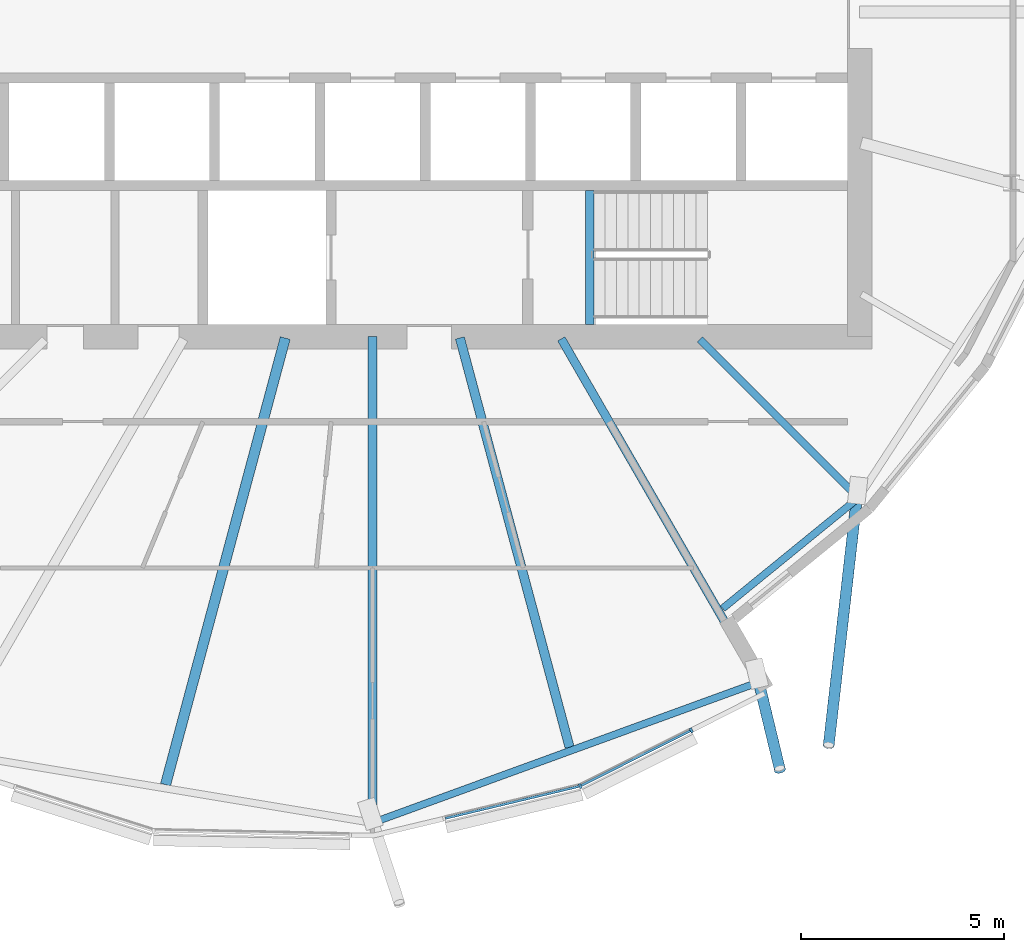
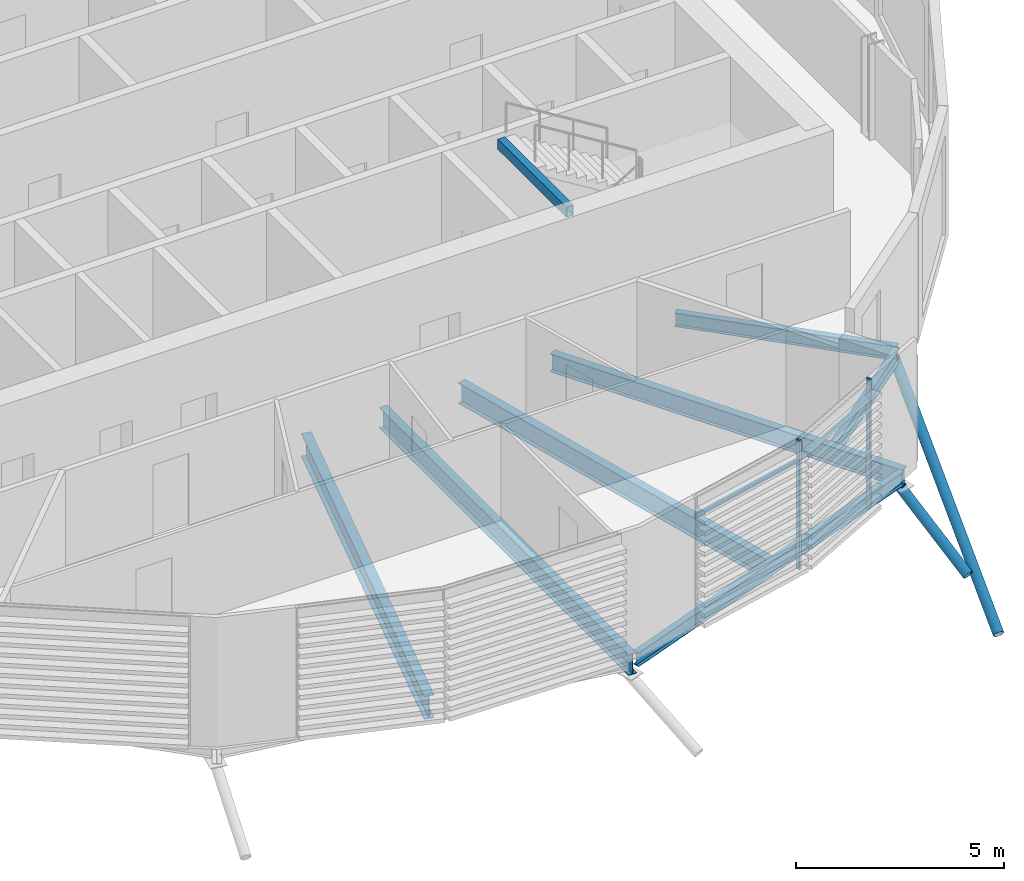
# One storey, part 12 of 35: 8 beams, 6 members, 1 element without a shape of its own.
"""IFC4 building model written with IfcOpenShell, lengths in metres."""

from ifc_helpers import new_model, si_unit, direction, frame, origin, origin_2d, place, context, subcontext, project, spatial, rectangle, hollow_rectangle, hollow_circle, i_section, extrude, clip, halfspace, material, material_profile, profile_set, type_object, element, aggregate, save


model = new_model("IFC4")

# Units and contexts
model_context = context("Model", 3, precision=1e-05, world=origin(), true_north=direction((0.0, 1.0)))
body_context = subcontext(model_context, "Body", "Model", "MODEL_VIEW")
ifc_project = project(units=[si_unit("LENGTHUNIT", "METRE"), si_unit("AREAUNIT", "SQUARE_METRE"), si_unit("VOLUMEUNIT", "CUBIC_METRE"), si_unit("PLANEANGLEUNIT", "RADIAN"), si_unit("MASSUNIT", "GRAM", prefix="KILO")], contexts=[model_context])

# Site, building, storey
site_placement = place(None, origin())
site = spatial("IfcSite", under=ifc_project, at=site_placement, CompositionType="ELEMENT")
building_placement = place(site_placement, origin())
building = spatial("IfcBuilding", under=site, at=building_placement, Name="Rimbun Link Towers", CompositionType="ELEMENT")
storey_placement = place(building_placement, frame((0.0, 0.0, 196.89990234375)))
storey = spatial("IfcBuildingStorey", under=building, at=storey_placement, Name="L48", CompositionType="ELEMENT", Elevation=196.89990234375)

# Curtain wall, members
ifc_material_1 = material(Name="Aluminium 6063-T6 and low-iron glass", Category="aluminium")
curtain_wall_type = type_object("IfcCurtainWallType", Name="CW1-Z3 unitised vision wall (zone 3)", PredefinedType="NOTDEFINED", material=ifc_material_1)
curtain_wall_placement = place(storey_placement, origin())
curtain_wall = element("IfcCurtainWall", 1, at=curtain_wall_placement, inside=storey, type_object=curtain_wall_type, Name="CW1 L48 T2", PredefinedType="NOTDEFINED")
ifc_material_2 = material(Name="Aluminium 6063-T6", Category="aluminium")
ifc_material_profile_1 = material_profile(ifc_material_2, rectangle(XDim=0.1201171875, YDim=0.06005859375, at=origin_2d()), Name="MULLION 60X120")
ifc_profile_set_1 = profile_set([ifc_material_profile_1], Name="Aluminium 6063-T6")
member_type_1 = type_object("IfcMemberType", Name="CW1 mullion 60X120", PredefinedType="MULLION", material=ifc_profile_set_1)
member_1_placement = place(storey_placement, frame((36.865966796875, -19.07275390625, 0.0), z_axis=(0.0, 0.0, 1.0), x_axis=(0.342971734757, -0.939345723979, 0.0)))
member_1 = element("IfcMember", 2, at=member_1_placement, type_object=member_type_1, Name="CW1 mullion", PredefinedType="MULLION", context=body_context, shape_type="SweptSolid", body=[
    extrude(rectangle(XDim=0.1201171875, YDim=0.06005859375, at=origin_2d()), origin(), (0.0, 0.0, 1.0), 3.800048828125),
])
member_2_placement = place(storey_placement, frame((39.6015625, -17.699462890625, 0.0), z_axis=(0.0, 0.0, 1.0), x_axis=(0.448772432233, -0.893646073156, 0.0)))
member_2 = element("IfcMember", 3, at=member_2_placement, type_object=member_type_1, Name="CW1 mullion", PredefinedType="MULLION", context=body_context, shape_type="SweptSolid", body=[
    extrude(rectangle(XDim=0.1201171875, YDim=0.06005859375, at=origin_2d()), origin(), (0.0, 0.0, 1.0), 3.800048828125),
])
ifc_material_3 = material(Name="Aluminium 6063-T6", Category="aluminium")
ifc_material_profile_2 = material_profile(ifc_material_3, rectangle(XDim=0.06005859375, YDim=0.1201171875, at=origin_2d()), Name="TRANSOM 60X120")
ifc_profile_set_2 = profile_set([ifc_material_profile_2], Name="Aluminium 6063-T6")
member_type_2 = type_object("IfcMemberType", Name="CW1 transom 60X120", PredefinedType="USERDEFINED", material=ifc_profile_set_2)
member_3_placement = place(storey_placement, frame((36.829833984375, -19.079833984375, 3.2001953125), z_axis=(-0.972581733642, -0.232561328227, 0.0), x_axis=(0.232561328227, -0.972581733642, 0.0)))
member_3 = element("IfcMember", 4, at=member_3_placement, type_object=member_type_2, Name="CW1 transom", ObjectType="TRANSOM", PredefinedType="USERDEFINED", context=body_context, shape_type="SweptSolid", body=[
    extrude(rectangle(XDim=0.06005859375, YDim=0.1201171875, at=origin_2d()), origin(), (0.0, 0.0, 1.0), 3.37939453125),
])
member_4_placement = place(storey_placement, frame((39.573974609375, -17.711181640625, 3.2001953125), z_axis=(-0.893675766865, -0.448713297907, 0.0), x_axis=(0.448713297907, -0.893675766865, 0.0)))
member_4 = element("IfcMember", 5, at=member_4_placement, type_object=member_type_2, Name="CW1 transom", ObjectType="TRANSOM", PredefinedType="USERDEFINED", context=body_context, shape_type="SweptSolid", body=[
    extrude(rectangle(XDim=0.06005859375, YDim=0.1201171875, at=origin_2d()), origin(), (0.0, 0.0, 1.0), 2.994140625),
])
aggregate(curtain_wall, [member_1, member_2, member_3, member_4])

# Members
ifc_material_4 = material(Name="Steel S355J2H", Category="steel")
ifc_material_profile_3 = material_profile(ifc_material_4, hollow_circle(Radius=0.136474609375, WallThickness=0.012451171875, at=origin_2d()), Name="CHS 273x12.5")
ifc_profile_set_3 = profile_set([ifc_material_profile_3], Name="Steel S355J2H")
member_type_3 = type_object("IfcMemberType", Name="Floor edge link CHS 273x12.5", PredefinedType="BRACE", material=ifc_profile_set_3)
member_5_placement = place(storey_placement, frame((41.255126953125, -16.46337890625, -0.80029296875), z_axis=(0.202125012924, -0.838652825065, -0.50577358389), x_axis=(0.972163698456, 0.234302674768, 0.0)))
element("IfcMember", 6, at=member_5_placement, inside=storey, type_object=member_type_3, Name="Floor edge link T2 L48 17", PredefinedType="BRACE", context=body_context, shape_type="Clipping", body=[
    clip(extrude(hollow_circle(Radius=0.136474609375, WallThickness=0.012451171875, at=origin_2d()), frame((0.0, 0.0, -0.4853515625)), (0.0, 0.0, 1.0), 3.133056640625), halfspace(frame((0.0, 0.0, -0.22802734375), z_axis=(0.0, 0.862666263302, -0.50577358389)), False)),
])
member_6_placement = place(storey_placement, frame((43.686279296875, -11.936279296875, -0.672119140625), z_axis=(-0.095022835167, -0.834627745701, -0.542556160137), x_axis=(0.993581356771, -0.113119792597, 0.0)))
element("IfcMember", 7, at=member_6_placement, inside=storey, type_object=member_type_3, Name="Floor edge link T2 L48 18", PredefinedType="BRACE", context=body_context, shape_type="Clipping", body=[
    clip(extrude(hollow_circle(Radius=0.136474609375, WallThickness=0.012451171875, at=origin_2d()), frame((0.0, 0.0, -0.441162109375)), (0.0, 0.0, 1.0), 7.796875), halfspace(frame((0.0, 0.0, -0.209716796875), z_axis=(0.0, 0.840019531378, -0.542556160137)), False)),
])

# Beams
ifc_material_5 = material(Name="Steel S355J2", Category="steel")
ifc_material_profile_4 = material_profile(ifc_material_5, hollow_rectangle(XDim=0.199951171875, YDim=0.300048828125, WallThickness=0.011962890625, at=origin_2d()), Name="BOX 300x200x12")
ifc_profile_set_4 = profile_set([ifc_material_profile_4], Name="Steel S355J2")
beam_type_1 = type_object("IfcBeamType", Name="Stair trimmer beam BOX 300x200x12", PredefinedType="BEAM", material=ifc_profile_set_4)
beam_1_placement = place(storey_placement, frame((37.10009765625, -7.699951171875, 3.5), z_axis=(0.0, 1.0, 0.0), x_axis=(-1.0, 0.0, 0.0)))
element("IfcBeam", 8, at=beam_1_placement, inside=storey, type_object=beam_type_1, Name="L48 ST4 stair beam 1", PredefinedType="BEAM", context=body_context, shape_type="SweptSolid", body=[
    extrude(hollow_rectangle(XDim=0.199951171875, YDim=0.300048828125, WallThickness=0.011962890625, at=origin_2d()), origin(), (0.0, 0.0, 1.0), 3.300048828125),
])
ifc_material_6 = material(Name="Steel S355J2", Category="steel")
ifc_material_profile_5 = material_profile(ifc_material_6, i_section(OverallWidth=0.177978515625, OverallDepth=0.406494140625, WebThickness=0.0078125, FlangeThickness=0.0126953125, at=origin_2d()), Name="UB 406x178x60")
ifc_profile_set_5 = profile_set([ifc_material_profile_5], Name="Steel S355J2")
beam_type_2 = type_object("IfcBeamType", Name="UB 406x178x60", PredefinedType="BEAM", material=ifc_profile_set_5)
beam_2_placement = place(storey_placement, frame((39.813720703125, -8.063720703125, -0.35302734375), z_axis=(0.707106781187, -0.707106781187, 0.0), x_axis=(0.707106781187, 0.707106781187, 0.0)))
element("IfcBeam", 9, at=beam_2_placement, inside=storey, type_object=beam_type_2, Name="Radial beam T2 L48 18", PredefinedType="BEAM", context=body_context, shape_type="SweptSolid", body=[
    extrude(i_section(OverallWidth=0.177978515625, OverallDepth=0.406494140625, WebThickness=0.0078125, FlangeThickness=0.0126953125, at=origin_2d()), origin(), (0.0, 0.0, 1.0), 5.526611328125),
])
beam_3_placement = place(storey_placement, frame((31.86474609375, -19.936279296875, -0.35302734375), z_axis=(0.939599125816, 0.342276909483, 0.0), x_axis=(-0.342276909483, 0.939599125816, 0.0)))
element("IfcBeam", 10, at=beam_3_placement, inside=storey, type_object=beam_type_2, Name="Edge beam T2 L48 15-17", PredefinedType="BEAM", context=body_context, shape_type="SweptSolid", body=[
    extrude(i_section(OverallWidth=0.177978515625, OverallDepth=0.406494140625, WebThickness=0.0078125, FlangeThickness=0.0126953125, at=origin_2d()), origin(), (0.0, 0.0, 1.0), 9.913330078125),
])
beam_4_placement = place(storey_placement, frame((40.374267578125, -14.697998046875, -0.35302734375), z_axis=(0.775337864164, 0.631546670004, 0.0), x_axis=(-0.631546670004, 0.775337864164, 0.0)))
element("IfcBeam", 11, at=beam_4_placement, inside=storey, type_object=beam_type_2, Name="Edge beam T2 L48 17 recess", PredefinedType="BEAM", context=body_context, shape_type="SweptSolid", body=[
    extrude(i_section(OverallWidth=0.177978515625, OverallDepth=0.406494140625, WebThickness=0.0078125, FlangeThickness=0.0126953125, at=origin_2d()), origin(), (0.0, 0.0, 1.0), 4.217529296875),
])
ifc_material_7 = material(Name="Steel S355J2", Category="steel")
ifc_material_profile_6 = material_profile(ifc_material_7, i_section(OverallWidth=0.209228515625, OverallDepth=0.533203125, WebThickness=0.010009765625, FlangeThickness=0.015625, at=origin_2d()), Name="UB 533x210x92")
ifc_profile_set_6 = profile_set([ifc_material_profile_6], Name="Steel S355J2")
beam_type_3 = type_object("IfcBeamType", Name="UB 533x210x92", PredefinedType="BEAM", material=ifc_profile_set_6)
beam_5_placement = place(storey_placement, frame((36.3994140625, -8.05322265625, -0.41650390625), z_axis=(0.500004632045, -0.866022729456, 0.0), x_axis=(0.866022729456, 0.500004632045, 0.0)))
element("IfcBeam", 12, at=beam_5_placement, inside=storey, type_object=beam_type_3, Name="Radial beam T2 L48 17", PredefinedType="BEAM", context=body_context, shape_type="SweptSolid", body=[
    extrude(i_section(OverallWidth=0.209228515625, OverallDepth=0.533203125, WebThickness=0.010009765625, FlangeThickness=0.015625, at=origin_2d()), origin(), (0.0, 0.0, 1.0), 9.76123046875),
])
ifc_material_8 = material(Name="Steel S355J2", Category="steel")
ifc_material_profile_7 = material_profile(ifc_material_8, i_section(OverallWidth=0.2275390625, OverallDepth=0.6025390625, WebThickness=0.010498046875, FlangeThickness=0.014892578125, at=origin_2d()), Name="UB 610x229x101")
ifc_profile_set_7 = profile_set([ifc_material_profile_7], Name="Steel S355J2")
beam_type_4 = type_object("IfcBeamType", Name="UB 610x229x101", PredefinedType="BEAM", material=ifc_profile_set_7)
beam_6_placement = place(storey_placement, frame((31.75, -8.0009765625, -0.451171875), z_axis=(0.0, -1.0, 0.0), x_axis=(1.0, 0.0, 0.0)))
element("IfcBeam", 13, at=beam_6_placement, inside=storey, type_object=beam_type_4, Name="Radial beam T2 L48 15", PredefinedType="BEAM", context=body_context, shape_type="SweptSolid", body=[
    extrude(i_section(OverallWidth=0.2275390625, OverallDepth=0.6025390625, WebThickness=0.010498046875, FlangeThickness=0.014892578125, at=origin_2d()), origin(), (0.0, 0.0, 1.0), 11.97705078125),
])
beam_7_placement = place(storey_placement, frame((33.901611328125, -8.030517578125, -0.451171875), z_axis=(0.258838562818, -0.965920596322, 0.0), x_axis=(0.965920596322, 0.258838562818, 0.0)))
element("IfcBeam", 14, at=beam_7_placement, inside=storey, type_object=beam_type_4, Name="Radial beam T2 L48 16", PredefinedType="BEAM", context=body_context, shape_type="SweptSolid", body=[
    extrude(i_section(OverallWidth=0.2275390625, OverallDepth=0.6025390625, WebThickness=0.010498046875, FlangeThickness=0.014892578125, at=origin_2d()), origin(), (0.0, 0.0, 1.0), 10.439453125),
])
ifc_material_9 = material(Name="Steel S355J2", Category="steel")
ifc_material_profile_8 = material_profile(ifc_material_9, i_section(OverallWidth=0.253662109375, OverallDepth=0.68359375, WebThickness=0.012451171875, FlangeThickness=0.01904296875, at=origin_2d()), Name="UB 686x254x140")
ifc_profile_set_8 = profile_set([ifc_material_profile_8], Name="Steel S355J2")
beam_type_5 = type_object("IfcBeamType", Name="UB 686x254x140", PredefinedType="BEAM", material=ifc_profile_set_8)
beam_8_placement = place(storey_placement, frame((29.597412109375, -8.03369140625, -0.49169921875), z_axis=(-0.258828204443, -0.965923372005, 0.0), x_axis=(0.965923372005, -0.258828204443, 0.0)))
element("IfcBeam", 15, at=beam_8_placement, inside=storey, type_object=beam_type_5, Name="Radial beam T2 L48 14", PredefinedType="BEAM", context=body_context, shape_type="SweptSolid", body=[
    extrude(i_section(OverallWidth=0.253662109375, OverallDepth=0.68359375, WebThickness=0.012451171875, FlangeThickness=0.01904296875, at=origin_2d()), origin(), (0.0, 0.0, 1.0), 11.392578125),
])

save(model, "model.ifc")
